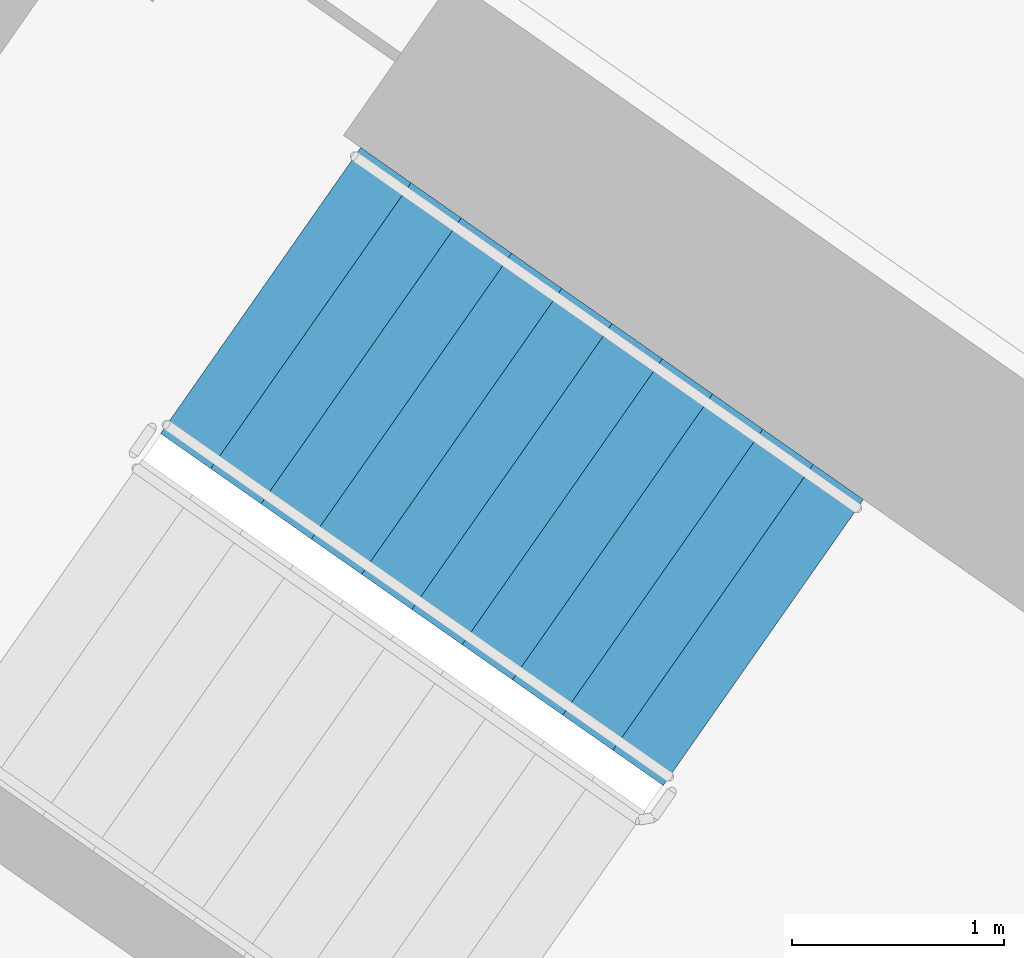
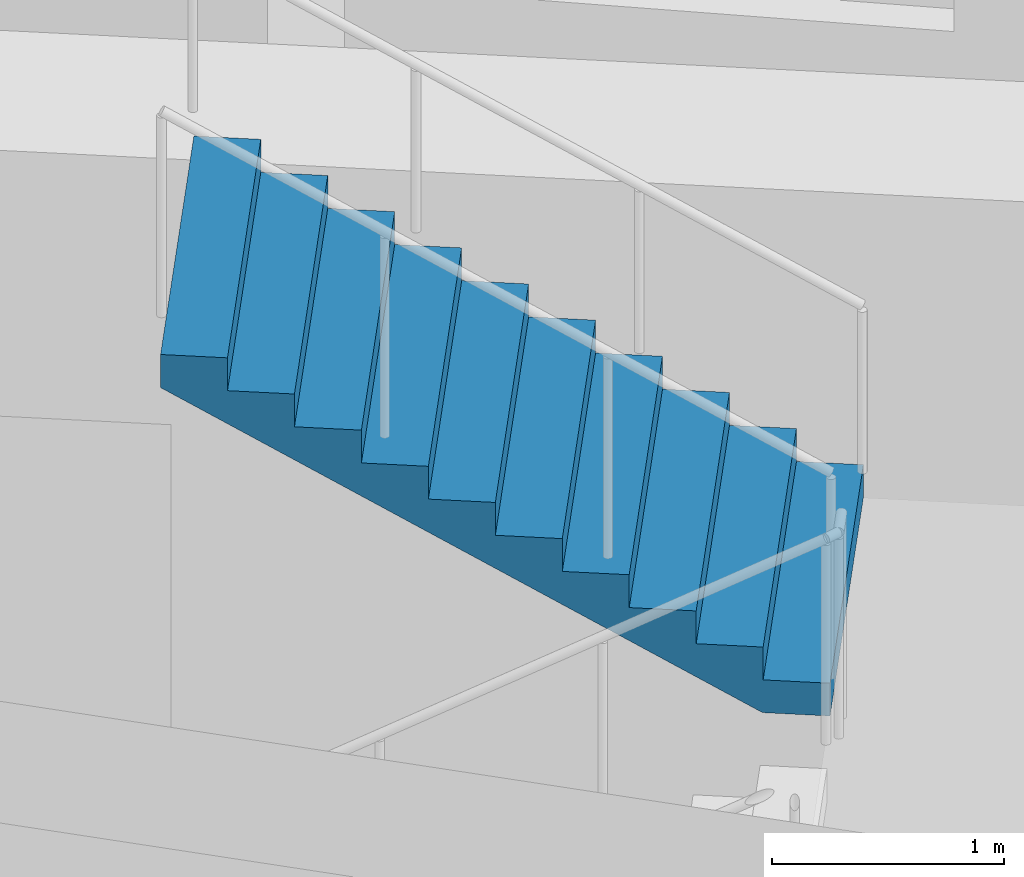
# One storey, part 14 of 33: 1 stair flight, 1 element without a shape of its own.
"""IFC4 building model written with IfcOpenShell, lengths in metres."""

import ifcopenshell
import ifcopenshell.guid

model = None  # the IFC model being written
_history = None  # IfcOwnerHistory: only IFC2X3 demands one
_inside = {}  # id of a spatial element -> (the spatial element, [elements in it])
_under = {}  # id of a project, library or spatial element -> (it, [spatial elements below it])
_declared = {}  # id of a project -> (the project, [libraries it declares])
_typed = {}  # id of a type object -> (the type object, [elements of that type])
_made_of = {}  # id of a material, layer set ... -> (it, [elements and type objects made of it])


def new_model(schema):
    """Start an empty IFC model of exactly this schema.

    Asked for "IFC4X3", IfcOpenShell would pick the latest addendum, in which some entities
    have other attributes; the version numbers below select the first issue.
    IFC2X3 requires an IfcOwnerHistory on every rooted entity: one is made here for all.
    """
    global model, _history
    if schema == "IFC4X3":
        model = ifcopenshell.file(schema_version=(4, 3, 0, 0))
    else:
        model = ifcopenshell.file(schema=schema)
    _inside.clear()
    _under.clear()
    _declared.clear()
    _typed.clear()
    _made_of.clear()
    _history = None
    if model.schema == "IFC2X3":
        org = make("IfcOrganization", Name="unknown")
        user = make(
            "IfcPersonAndOrganization",
            ThePerson=make("IfcPerson", FamilyName="unknown"),
            TheOrganization=org,
        )
        app = make(
            "IfcApplication",
            ApplicationDeveloper=org,
            Version="unknown",
            ApplicationFullName="unknown",
            ApplicationIdentifier="unknown",
        )
        _history = make(
            "IfcOwnerHistory",
            OwningUser=user,
            OwningApplication=app,
            ChangeAction="ADDED",
            CreationDate=0,
        )
    return model


def make(cls, **values):
    """One entity of the class cls with the attributes given. An attribute that is None is left unset."""
    return model.create_entity(
        cls, **{name: value for name, value in values.items() if value is not None}
    )


def rooted(cls, **values):
    """An entity with a GlobalId (a new one), such as an element, a storey or a relation."""
    return make(cls, GlobalId=ifcopenshell.guid.new(), OwnerHistory=_history, **values)


def si_unit(unit_type, name, prefix=None):
    """IfcSIUnit, for example si_unit("LENGTHUNIT", "METRE", prefix="MILLI")."""
    return make("IfcSIUnit", UnitType=unit_type, Prefix=prefix, Name=name)


def assignment(units):
    """IfcUnitAssignment: the units of a project."""
    return None if units is None else make("IfcUnitAssignment", Units=units)


def point(xyz):
    """IfcCartesianPoint."""
    return None if xyz is None else make("IfcCartesianPoint", Coordinates=xyz)


def direction(xyz):
    """IfcDirection."""
    return None if xyz is None else make("IfcDirection", DirectionRatios=xyz)


def frame(location, z_axis=None, x_axis=None):
    """IfcAxis2Placement3D, a coordinate frame: its origin and axes. An axis left out is left unset."""
    return make(
        "IfcAxis2Placement3D",
        Location=point(location),
        Axis=direction(z_axis),
        RefDirection=direction(x_axis),
    )


def origin():
    """The frame at (0, 0, 0) with its axes left unset."""
    return frame((0.0, 0.0, 0.0))


def place(relative_to, where):
    """IfcLocalPlacement: puts the frame where relative to a parent placement (None: the world)."""
    return make(
        "IfcLocalPlacement", PlacementRelTo=relative_to, RelativePlacement=where
    )


def context(
    kind, dimensions, precision=None, world=None, true_north=None, identifier=None
):
    """IfcGeometricRepresentationContext, for example the 3D "Model" context."""
    return make(
        "IfcGeometricRepresentationContext",
        ContextIdentifier=identifier,
        ContextType=kind,
        CoordinateSpaceDimension=dimensions,
        Precision=precision,
        WorldCoordinateSystem=world,
        TrueNorth=true_north,
    )


def subcontext(parent, identifier, kind, view, scale=None):
    """IfcGeometricRepresentationSubContext, for example "Body" below "Model"."""
    return make(
        "IfcGeometricRepresentationSubContext",
        ContextIdentifier=identifier,
        ContextType=kind,
        ParentContext=parent,
        TargetScale=scale,
        TargetView=view,
    )


def project(units=None, contexts=None):
    """IfcProject with its units and contexts."""
    return rooted(
        "IfcProject",
        Name="project",
        RepresentationContexts=contexts,
        UnitsInContext=assignment(units),
    )


def spatial(cls, under=None, at=None, **own):
    """A site, building, storey or space (cls), placed at a placement, below another one or the project."""
    s = rooted(cls, ObjectPlacement=at, **own)
    if under is not None:
        _under.setdefault(under.id(), (under, []))[1].append(s)
    return s


def faces_of(points, faces, orient=None, outer=None):
    """IfcFace entities. A face is a list of loops; a loop is a list of indices into points, from 0.

    orient and outer hold one flag for each loop. By default every Orientation is true, the
    first loop of a face is its IfcFaceOuterBound and the others are IfcFaceBound.
    """
    made = []
    for i, loops in enumerate(faces):
        bounds = []
        for j, loop in enumerate(loops):
            is_outer = j == 0 if outer is None else outer[i][j]
            bounds.append(
                make(
                    "IfcFaceOuterBound" if is_outer else "IfcFaceBound",
                    Bound=make("IfcPolyLoop", Polygon=[points[k] for k in loop]),
                    Orientation=True if orient is None else orient[i][j],
                )
            )
        made.append(make("IfcFace", Bounds=bounds))
    return made


def faceted_brep(points, faces, orient=None, outer=None, voids=None):
    """IfcFacetedBrep: a solid bounded by flat faces; with voids (closed shells), ...WithVoids."""
    shared = [point(p) for p in points]
    hull = make("IfcClosedShell", CfsFaces=faces_of(shared, faces, orient, outer))
    if voids is None:
        return make("IfcFacetedBrep", Outer=hull)
    return make(
        "IfcFacetedBrepWithVoids",
        Outer=hull,
        Voids=[
            make(cls, CfsFaces=faces_of(shared, fs, o, b)) for cls, fs, o, b in voids
        ],
    )


def shape(context_of_items, identifier, shape_type, items):
    """IfcShapeRepresentation: the items that make up one representation, for example the "Body"."""
    return make(
        "IfcShapeRepresentation",
        ContextOfItems=context_of_items,
        RepresentationIdentifier=identifier,
        RepresentationType=shape_type,
        Items=items,
    )


def material(Name=None, Category=None):
    """IfcMaterial."""
    return make("IfcMaterial", Name=Name, Category=Category)


def made_of(thing, what):
    """Note that an element or type object is made of a material, layer set ...; save() writes the relation."""
    if what is not None:
        _made_of.setdefault(what.id(), (what, []))[1].append(thing)
    return thing


def type_object(cls, material=None, **own):
    """A type object (cls), such as IfcWallType, which elements share."""
    return made_of(rooted(cls, **own), material)


def element(
    cls,
    number,
    at=None,
    inside=None,
    cuts=None,
    type_object=None,
    material=None,
    context=None,
    identifier="Body",
    shape_type=None,
    held_by="IfcProductDefinitionShape",
    body=None,
    shapes=None,
    **own,
):
    """One element of the class cls, such as IfcWall. Its Tag is "e" and its number.

    at: its placement. inside: the storey or other place that contains it. cuts: it is an
    opening in that element (IfcRelVoidsElement). A single representation is given by context,
    identifier, shape_type and body (its items); several are given by shapes. held_by: the class
    of the entity that holds the representations. save() writes the other relations.
    """
    e = rooted(cls, Tag="e%d" % number, ObjectPlacement=at, **own)
    if body is not None:
        shapes = [shape(context, identifier, shape_type, body)]
    if shapes is not None:
        e.Representation = make(held_by, Representations=shapes)
    if inside is not None:
        _inside.setdefault(inside.id(), (inside, []))[1].append(e)
    if cuts is not None:
        rooted(
            "IfcRelVoidsElement", RelatingBuildingElement=cuts, RelatedOpeningElement=e
        )
    if type_object is not None:
        _typed.setdefault(type_object.id(), (type_object, []))[1].append(e)
    return made_of(e, material)


def aggregate(whole, parts):
    """IfcRelAggregates: a whole, such as a stair, and the parts it consists of."""
    return rooted("IfcRelAggregates", RelatingObject=whole, RelatedObjects=parts)


def save(model, path):
    """Write the relations noted so far, then the file.

    IfcRelAggregates (storeys below a building ...), IfcRelContainedInSpatialStructure (elements
    in a storey), IfcRelDefinesByType, IfcRelAssociatesMaterial and IfcRelDeclares: one each for
    every whole, place, type object, material and project.
    """
    for whole, parts in _under.values():
        aggregate(whole, parts)
    for where, things in _inside.values():
        rooted(
            "IfcRelContainedInSpatialStructure",
            RelatedElements=things,
            RelatingStructure=where,
        )
    for kind, things in _typed.values():
        rooted("IfcRelDefinesByType", RelatedObjects=things, RelatingType=kind)
    for what, things in _made_of.values():
        rooted("IfcRelAssociatesMaterial", RelatedObjects=things, RelatingMaterial=what)
    for by, libraries in _declared.values():
        rooted("IfcRelDeclares", RelatingContext=by, RelatedDefinitions=libraries)
    model.write(path)


model = new_model("IFC4")

# Units and contexts
model_context = context("Model", 3, precision=1e-05, world=origin(), true_north=direction((0.0, 1.0)))
body_context = subcontext(model_context, "Body", "Model", "MODEL_VIEW")
ifc_project = project(units=[si_unit("LENGTHUNIT", "METRE"), si_unit("AREAUNIT", "SQUARE_METRE"), si_unit("VOLUMEUNIT", "CUBIC_METRE"), si_unit("PLANEANGLEUNIT", "RADIAN"), si_unit("MASSUNIT", "GRAM", prefix="KILO")], contexts=[model_context])

# Site, building, storey
site_placement = place(None, origin())
site = spatial("IfcSite", under=ifc_project, at=site_placement, CompositionType="ELEMENT")
building_placement = place(site_placement, origin())
building = spatial("IfcBuilding", under=site, at=building_placement, Name="Qamariyya Broadcast Tower", CompositionType="ELEMENT")
storey_placement = place(building_placement, frame((0.0, 0.0, 78.5)))
storey = spatial("IfcBuildingStorey", under=building, at=storey_placement, Name="L16", CompositionType="ELEMENT", Elevation=78.5)

# Stair, stair flight
ifc_material = material(Name="Concrete C50/60", Category="concrete")
stair_type = type_object("IfcStairType", Name="Exit stair 22 risers of 173 mm", PredefinedType="HALF_TURN_STAIR", material=ifc_material)
stair_placement = place(storey_placement, origin())
stair = element("IfcStair", 1, at=stair_placement, inside=storey, type_object=stair_type, Name="L16 Stair W2", PredefinedType="HALF_TURN_STAIR")
stair_flight_type = type_object("IfcStairFlightType", Name="Exit stair flight 11 risers of 173 mm", PredefinedType="STRAIGHT", material=ifc_material)
stair_flight_placement = place(storey_placement, frame((-38.18310546875, -49.3486328125, 1.89990234375), z_axis=(0.0, 0.0, 1.0), x_axis=(-0.819152044289, 0.573576436351, 0.0)))
stair_flight = element("IfcStairFlight", 2, at=stair_flight_placement, type_object=stair_flight_type, Name="ST-W2 flight 2", NumberOfRisers=11, NumberOfTreads=10, PredefinedType="STRAIGHT", RiserHeight=0.172727273, TreadLength=0.29, context=body_context, shape_type="Brep", body=[
    faceted_brep([(0.0, 0.824951171875, 0.0), (0.0, 0.824951171875, 0.172607421875), (0.2900390625, 0.824951171875, 0.172607421875), (0.2900390625, 0.824951171875, 0.345458984375), (0.580078125, 0.824951171875, 0.345458984375), (0.580078125, 0.824951171875, 0.51806640625), (0.8701171875, 0.824951171875, 0.51806640625), (0.8701171875, 0.824951171875, 0.69091796875), (1.159912109375, 0.824951171875, 0.69091796875), (1.159912109375, 0.824951171875, 0.863525390625), (1.449951171875, 0.824951171875, 0.863525390625), (1.449951171875, 0.824951171875, 1.036376953125), (1.739990234375, 0.824951171875, 1.036376953125), (1.739990234375, 0.824951171875, 1.208984375), (2.030029296875, 0.824951171875, 1.208984375), (2.030029296875, 0.824951171875, 1.3818359375), (2.320068359375, 0.824951171875, 1.3818359375), (2.320068359375, 0.824951171875, 1.554443359375), (2.610107421875, 0.824951171875, 1.554443359375), (2.610107421875, 0.824951171875, 1.727294921875), (2.89990234375, 0.824951171875, 1.727294921875), (2.89990234375, 0.824951171875, 1.552734375), (0.29296875, 0.824951171875, 0.0), (0.29296875, -0.824951171875, 0.0), (2.89990234375, -0.824951171875, 1.552734375), (2.89990234375, -0.824951171875, 1.727294921875), (2.610107421875, -0.824951171875, 1.727294921875), (2.610107421875, -0.824951171875, 1.554443359375), (2.320068359375, -0.824951171875, 1.554443359375), (2.320068359375, -0.824951171875, 1.3818359375), (2.030029296875, -0.824951171875, 1.3818359375), (2.030029296875, -0.824951171875, 1.208984375), (1.739990234375, -0.824951171875, 1.208984375), (1.739990234375, -0.824951171875, 1.036376953125), (1.449951171875, -0.824951171875, 1.036376953125), (1.449951171875, -0.824951171875, 0.863525390625), (1.159912109375, -0.824951171875, 0.863525390625), (1.159912109375, -0.824951171875, 0.69091796875), (0.8701171875, -0.824951171875, 0.69091796875), (0.8701171875, -0.824951171875, 0.51806640625), (0.580078125, -0.824951171875, 0.51806640625), (0.580078125, -0.824951171875, 0.345458984375), (0.2900390625, -0.824951171875, 0.345458984375), (0.2900390625, -0.824951171875, 0.172607421875), (0.0, -0.824951171875, 0.172607421875), (0.0, -0.824951171875, 0.0), (0.0, 0.10009765625, 0.0), (0.0, 0.086669921875, 0.0), (0.0, 0.0732421875, 0.0), (0.0, 0.06005859375, 0.0), (0.0, 0.046630859375, 0.0), (0.0, 0.033447265625, 0.0), (0.0, 0.02001953125, 0.0), (0.0, 0.006591796875, 0.0), (0.0, -0.006591796875, 0.0), (0.0, -0.02001953125, 0.0), (0.0, -0.033447265625, 0.0), (0.0, -0.046630859375, 0.0), (0.0, -0.06005859375, 0.0), (0.0, -0.0732421875, 0.0), (0.0, -0.086669921875, 0.0), (0.0, -0.10009765625, 0.0), (0.0, -0.10009765625, 0.172607421875), (0.0, -0.086669921875, 0.172607421875), (0.0, -0.0732421875, 0.172607421875), (0.0, -0.06005859375, 0.172607421875), (0.0, -0.046630859375, 0.172607421875), (0.0, -0.033447265625, 0.172607421875), (0.0, -0.02001953125, 0.172607421875), (0.0, -0.006591796875, 0.172607421875), (0.0, 0.006591796875, 0.172607421875), (0.0, 0.02001953125, 0.172607421875), (0.0, 0.033447265625, 0.172607421875), (0.0, 0.046630859375, 0.172607421875), (0.0, 0.06005859375, 0.172607421875), (0.0, 0.0732421875, 0.172607421875), (0.0, 0.086669921875, 0.172607421875), (0.0, 0.10009765625, 0.172607421875), (0.2900390625, -0.10009765625, 0.172607421875), (0.2900390625, -0.086669921875, 0.172607421875), (0.2900390625, -0.0732421875, 0.172607421875), (0.2900390625, -0.06005859375, 0.172607421875), (0.2900390625, -0.046630859375, 0.172607421875), (0.2900390625, -0.033447265625, 0.172607421875), (0.2900390625, -0.02001953125, 0.172607421875), (0.2900390625, -0.006591796875, 0.172607421875), (0.2900390625, 0.006591796875, 0.172607421875), (0.2900390625, 0.02001953125, 0.172607421875), (0.2900390625, 0.033447265625, 0.172607421875), (0.2900390625, 0.046630859375, 0.172607421875), (0.2900390625, 0.06005859375, 0.172607421875), (0.2900390625, 0.0732421875, 0.172607421875), (0.2900390625, 0.086669921875, 0.172607421875), (0.2900390625, 0.10009765625, 0.172607421875), (0.2900390625, -0.10009765625, 0.345458984375), (0.2900390625, -0.086669921875, 0.345458984375), (0.2900390625, -0.0732421875, 0.345458984375), (0.2900390625, -0.06005859375, 0.345458984375), (0.2900390625, -0.046630859375, 0.345458984375), (0.2900390625, -0.033447265625, 0.345458984375), (0.2900390625, -0.02001953125, 0.345458984375), (0.2900390625, -0.006591796875, 0.345458984375), (0.2900390625, 0.006591796875, 0.345458984375), (0.2900390625, 0.02001953125, 0.345458984375), (0.2900390625, 0.033447265625, 0.345458984375), (0.2900390625, 0.046630859375, 0.345458984375), (0.2900390625, 0.06005859375, 0.345458984375), (0.2900390625, 0.0732421875, 0.345458984375), (0.2900390625, 0.086669921875, 0.345458984375), (0.2900390625, 0.10009765625, 0.345458984375), (0.580078125, -0.10009765625, 0.345458984375), (0.580078125, -0.086669921875, 0.345458984375), (0.580078125, -0.0732421875, 0.345458984375), (0.580078125, -0.06005859375, 0.345458984375), (0.580078125, -0.046630859375, 0.345458984375), (0.580078125, -0.033447265625, 0.345458984375), (0.580078125, -0.02001953125, 0.345458984375), (0.580078125, -0.006591796875, 0.345458984375), (0.580078125, 0.006591796875, 0.345458984375), (0.580078125, 0.02001953125, 0.345458984375), (0.580078125, 0.033447265625, 0.345458984375), (0.580078125, 0.046630859375, 0.345458984375), (0.580078125, 0.06005859375, 0.345458984375), (0.580078125, 0.0732421875, 0.345458984375), (0.580078125, 0.086669921875, 0.345458984375), (0.580078125, 0.10009765625, 0.345458984375), (0.580078125, -0.10009765625, 0.51806640625), (0.580078125, -0.086669921875, 0.51806640625), (0.580078125, -0.0732421875, 0.51806640625), (0.580078125, -0.06005859375, 0.51806640625), (0.580078125, -0.046630859375, 0.51806640625), (0.580078125, -0.033447265625, 0.51806640625), (0.580078125, -0.02001953125, 0.51806640625), (0.580078125, -0.006591796875, 0.51806640625), (0.580078125, 0.006591796875, 0.51806640625), (0.580078125, 0.02001953125, 0.51806640625), (0.580078125, 0.033447265625, 0.51806640625), (0.580078125, 0.046630859375, 0.51806640625), (0.580078125, 0.06005859375, 0.51806640625), (0.580078125, 0.0732421875, 0.51806640625), (0.580078125, 0.086669921875, 0.51806640625), (0.580078125, 0.10009765625, 0.51806640625), (0.8701171875, -0.10009765625, 0.51806640625), (0.8701171875, -0.086669921875, 0.51806640625), (0.8701171875, -0.0732421875, 0.51806640625), (0.8701171875, -0.06005859375, 0.51806640625), (0.8701171875, -0.046630859375, 0.51806640625), (0.8701171875, -0.033447265625, 0.51806640625), (0.8701171875, -0.02001953125, 0.51806640625), (0.8701171875, -0.006591796875, 0.51806640625), (0.8701171875, 0.006591796875, 0.51806640625), (0.8701171875, 0.02001953125, 0.51806640625), (0.8701171875, 0.033447265625, 0.51806640625), (0.8701171875, 0.046630859375, 0.51806640625), (0.8701171875, 0.06005859375, 0.51806640625), (0.8701171875, 0.0732421875, 0.51806640625), (0.8701171875, 0.086669921875, 0.51806640625), (0.8701171875, 0.10009765625, 0.51806640625), (0.8701171875, -0.10009765625, 0.69091796875), (0.8701171875, -0.086669921875, 0.69091796875), (0.8701171875, -0.0732421875, 0.69091796875), (0.8701171875, -0.06005859375, 0.69091796875), (0.8701171875, -0.046630859375, 0.69091796875), (0.8701171875, -0.033447265625, 0.69091796875), (0.8701171875, -0.02001953125, 0.69091796875), (0.8701171875, -0.006591796875, 0.69091796875), (0.8701171875, 0.006591796875, 0.69091796875), (0.8701171875, 0.02001953125, 0.69091796875), (0.8701171875, 0.033447265625, 0.69091796875), (0.8701171875, 0.046630859375, 0.69091796875), (0.8701171875, 0.06005859375, 0.69091796875), (0.8701171875, 0.0732421875, 0.69091796875), (0.8701171875, 0.086669921875, 0.69091796875), (0.8701171875, 0.10009765625, 0.69091796875), (1.159912109375, -0.10009765625, 0.69091796875), (1.159912109375, -0.086669921875, 0.69091796875), (1.159912109375, -0.0732421875, 0.69091796875), (1.159912109375, -0.06005859375, 0.69091796875), (1.159912109375, -0.046630859375, 0.69091796875), (1.159912109375, -0.033447265625, 0.69091796875), (1.159912109375, -0.02001953125, 0.69091796875), (1.159912109375, -0.006591796875, 0.69091796875), (1.159912109375, 0.006591796875, 0.69091796875), (1.159912109375, 0.02001953125, 0.69091796875), (1.159912109375, 0.033447265625, 0.69091796875), (1.159912109375, 0.046630859375, 0.69091796875), (1.159912109375, 0.06005859375, 0.69091796875), (1.159912109375, 0.0732421875, 0.69091796875), (1.159912109375, 0.086669921875, 0.69091796875), (1.159912109375, 0.10009765625, 0.69091796875), (1.159912109375, -0.10009765625, 0.863525390625), (1.159912109375, -0.086669921875, 0.863525390625), (1.159912109375, -0.0732421875, 0.863525390625), (1.159912109375, -0.06005859375, 0.863525390625), (1.159912109375, -0.046630859375, 0.863525390625), (1.159912109375, -0.033447265625, 0.863525390625), (1.159912109375, -0.02001953125, 0.863525390625), (1.159912109375, -0.006591796875, 0.863525390625), (1.159912109375, 0.006591796875, 0.863525390625), (1.159912109375, 0.02001953125, 0.863525390625), (1.159912109375, 0.033447265625, 0.863525390625), (1.159912109375, 0.046630859375, 0.863525390625), (1.159912109375, 0.06005859375, 0.863525390625), (1.159912109375, 0.0732421875, 0.863525390625), (1.159912109375, 0.086669921875, 0.863525390625), (1.159912109375, 0.10009765625, 0.863525390625), (1.449951171875, -0.10009765625, 0.863525390625), (1.449951171875, -0.086669921875, 0.863525390625), (1.449951171875, -0.0732421875, 0.863525390625), (1.449951171875, -0.06005859375, 0.863525390625), (1.449951171875, -0.046630859375, 0.863525390625), (1.449951171875, -0.033447265625, 0.863525390625), (1.449951171875, -0.02001953125, 0.863525390625), (1.449951171875, -0.006591796875, 0.863525390625), (1.449951171875, 0.006591796875, 0.863525390625), (1.449951171875, 0.02001953125, 0.863525390625), (1.449951171875, 0.033447265625, 0.863525390625), (1.449951171875, 0.046630859375, 0.863525390625), (1.449951171875, 0.06005859375, 0.863525390625), (1.449951171875, 0.0732421875, 0.863525390625), (1.449951171875, 0.086669921875, 0.863525390625), (1.449951171875, 0.10009765625, 0.863525390625), (1.449951171875, -0.10009765625, 1.036376953125), (1.449951171875, -0.086669921875, 1.036376953125), (1.449951171875, -0.0732421875, 1.036376953125), (1.449951171875, -0.06005859375, 1.036376953125), (1.449951171875, -0.046630859375, 1.036376953125), (1.449951171875, -0.033447265625, 1.036376953125), (1.449951171875, -0.02001953125, 1.036376953125), (1.449951171875, -0.006591796875, 1.036376953125), (1.449951171875, 0.006591796875, 1.036376953125), (1.449951171875, 0.02001953125, 1.036376953125), (1.449951171875, 0.033447265625, 1.036376953125), (1.449951171875, 0.046630859375, 1.036376953125), (1.449951171875, 0.06005859375, 1.036376953125), (1.449951171875, 0.0732421875, 1.036376953125), (1.449951171875, 0.086669921875, 1.036376953125), (1.449951171875, 0.10009765625, 1.036376953125), (1.739990234375, -0.10009765625, 1.036376953125), (1.739990234375, -0.086669921875, 1.036376953125), (1.739990234375, -0.0732421875, 1.036376953125), (1.739990234375, -0.06005859375, 1.036376953125), (1.739990234375, -0.046630859375, 1.036376953125), (1.739990234375, -0.033447265625, 1.036376953125), (1.739990234375, -0.02001953125, 1.036376953125), (1.739990234375, -0.006591796875, 1.036376953125), (1.739990234375, 0.006591796875, 1.036376953125), (1.739990234375, 0.02001953125, 1.036376953125), (1.739990234375, 0.033447265625, 1.036376953125), (1.739990234375, 0.046630859375, 1.036376953125), (1.739990234375, 0.06005859375, 1.036376953125), (1.739990234375, 0.0732421875, 1.036376953125), (1.739990234375, 0.086669921875, 1.036376953125), (1.739990234375, 0.10009765625, 1.036376953125), (1.739990234375, -0.10009765625, 1.208984375), (1.739990234375, -0.086669921875, 1.208984375), (1.739990234375, -0.0732421875, 1.208984375), (1.739990234375, -0.06005859375, 1.208984375), (1.739990234375, -0.046630859375, 1.208984375), (1.739990234375, -0.033447265625, 1.208984375), (1.739990234375, -0.02001953125, 1.208984375), (1.739990234375, -0.006591796875, 1.208984375), (1.739990234375, 0.006591796875, 1.208984375), (1.739990234375, 0.02001953125, 1.208984375), (1.739990234375, 0.033447265625, 1.208984375), (1.739990234375, 0.046630859375, 1.208984375), (1.739990234375, 0.06005859375, 1.208984375), (1.739990234375, 0.0732421875, 1.208984375), (1.739990234375, 0.086669921875, 1.208984375), (1.739990234375, 0.10009765625, 1.208984375), (2.030029296875, -0.10009765625, 1.208984375), (2.030029296875, -0.086669921875, 1.208984375), (2.030029296875, -0.0732421875, 1.208984375), (2.030029296875, -0.06005859375, 1.208984375), (2.030029296875, -0.046630859375, 1.208984375), (2.030029296875, -0.033447265625, 1.208984375), (2.030029296875, -0.02001953125, 1.208984375), (2.030029296875, -0.006591796875, 1.208984375), (2.030029296875, 0.006591796875, 1.208984375), (2.030029296875, 0.02001953125, 1.208984375), (2.030029296875, 0.033447265625, 1.208984375), (2.030029296875, 0.046630859375, 1.208984375), (2.030029296875, 0.06005859375, 1.208984375), (2.030029296875, 0.0732421875, 1.208984375), (2.030029296875, 0.086669921875, 1.208984375), (2.030029296875, 0.10009765625, 1.208984375), (2.030029296875, -0.10009765625, 1.3818359375), (2.030029296875, -0.086669921875, 1.3818359375), (2.030029296875, -0.0732421875, 1.3818359375), (2.030029296875, -0.06005859375, 1.3818359375), (2.030029296875, -0.046630859375, 1.3818359375), (2.030029296875, -0.033447265625, 1.3818359375), (2.030029296875, -0.02001953125, 1.3818359375), (2.030029296875, -0.006591796875, 1.3818359375), (2.030029296875, 0.006591796875, 1.3818359375), (2.030029296875, 0.02001953125, 1.3818359375), (2.030029296875, 0.033447265625, 1.3818359375), (2.030029296875, 0.046630859375, 1.3818359375), (2.030029296875, 0.06005859375, 1.3818359375), (2.030029296875, 0.0732421875, 1.3818359375), (2.030029296875, 0.086669921875, 1.3818359375), (2.030029296875, 0.10009765625, 1.3818359375), (2.320068359375, -0.10009765625, 1.3818359375), (2.320068359375, -0.086669921875, 1.3818359375), (2.320068359375, -0.0732421875, 1.3818359375), (2.320068359375, -0.06005859375, 1.3818359375), (2.320068359375, -0.046630859375, 1.3818359375), (2.320068359375, -0.033447265625, 1.3818359375), (2.320068359375, -0.02001953125, 1.3818359375), (2.320068359375, -0.006591796875, 1.3818359375), (2.320068359375, 0.006591796875, 1.3818359375), (2.320068359375, 0.02001953125, 1.3818359375), (2.320068359375, 0.033447265625, 1.3818359375), (2.320068359375, 0.046630859375, 1.3818359375), (2.320068359375, 0.06005859375, 1.3818359375), (2.320068359375, 0.0732421875, 1.3818359375), (2.320068359375, 0.086669921875, 1.3818359375), (2.320068359375, 0.10009765625, 1.3818359375), (2.320068359375, -0.10009765625, 1.554443359375), (2.320068359375, -0.086669921875, 1.554443359375), (2.320068359375, -0.0732421875, 1.554443359375), (2.320068359375, -0.06005859375, 1.554443359375), (2.320068359375, -0.046630859375, 1.554443359375), (2.320068359375, -0.033447265625, 1.554443359375), (2.320068359375, -0.02001953125, 1.554443359375), (2.320068359375, -0.006591796875, 1.554443359375), (2.320068359375, 0.006591796875, 1.554443359375), (2.320068359375, 0.02001953125, 1.554443359375), (2.320068359375, 0.033447265625, 1.554443359375), (2.320068359375, 0.046630859375, 1.554443359375), (2.320068359375, 0.06005859375, 1.554443359375), (2.320068359375, 0.0732421875, 1.554443359375), (2.320068359375, 0.086669921875, 1.554443359375), (2.320068359375, 0.10009765625, 1.554443359375), (2.610107421875, -0.10009765625, 1.554443359375), (2.610107421875, -0.086669921875, 1.554443359375), (2.610107421875, -0.0732421875, 1.554443359375), (2.610107421875, -0.06005859375, 1.554443359375), (2.610107421875, -0.046630859375, 1.554443359375), (2.610107421875, -0.033447265625, 1.554443359375), (2.610107421875, -0.02001953125, 1.554443359375), (2.610107421875, -0.006591796875, 1.554443359375), (2.610107421875, 0.006591796875, 1.554443359375), (2.610107421875, 0.02001953125, 1.554443359375), (2.610107421875, 0.033447265625, 1.554443359375), (2.610107421875, 0.046630859375, 1.554443359375), (2.610107421875, 0.06005859375, 1.554443359375), (2.610107421875, 0.0732421875, 1.554443359375), (2.610107421875, 0.086669921875, 1.554443359375), (2.610107421875, 0.10009765625, 1.554443359375), (2.610107421875, -0.10009765625, 1.727294921875), (2.610107421875, -0.086669921875, 1.727294921875), (2.610107421875, -0.0732421875, 1.727294921875), (2.610107421875, -0.06005859375, 1.727294921875), (2.610107421875, -0.046630859375, 1.727294921875), (2.610107421875, -0.033447265625, 1.727294921875), (2.610107421875, -0.02001953125, 1.727294921875), (2.610107421875, -0.006591796875, 1.727294921875), (2.610107421875, 0.006591796875, 1.727294921875), (2.610107421875, 0.02001953125, 1.727294921875), (2.610107421875, 0.033447265625, 1.727294921875), (2.610107421875, 0.046630859375, 1.727294921875), (2.610107421875, 0.06005859375, 1.727294921875), (2.610107421875, 0.0732421875, 1.727294921875), (2.610107421875, 0.086669921875, 1.727294921875), (2.610107421875, 0.10009765625, 1.727294921875), (2.89990234375, -0.10009765625, 1.727294921875), (2.89990234375, -0.086669921875, 1.727294921875), (2.89990234375, -0.0732421875, 1.727294921875), (2.89990234375, -0.06005859375, 1.727294921875), (2.89990234375, -0.046630859375, 1.727294921875), (2.89990234375, -0.033447265625, 1.727294921875), (2.89990234375, -0.02001953125, 1.727294921875), (2.89990234375, -0.006591796875, 1.727294921875), (2.89990234375, 0.006591796875, 1.727294921875), (2.89990234375, 0.02001953125, 1.727294921875), (2.89990234375, 0.033447265625, 1.727294921875), (2.89990234375, 0.046630859375, 1.727294921875), (2.89990234375, 0.06005859375, 1.727294921875), (2.89990234375, 0.0732421875, 1.727294921875), (2.89990234375, 0.086669921875, 1.727294921875), (2.89990234375, 0.10009765625, 1.727294921875), (2.89990234375, -0.10009765625, 1.552734375), (2.89990234375, -0.086669921875, 1.552734375), (2.89990234375, -0.0732421875, 1.552734375), (2.89990234375, -0.06005859375, 1.552734375), (2.89990234375, -0.046630859375, 1.552734375), (2.89990234375, -0.033447265625, 1.552734375), (2.89990234375, -0.02001953125, 1.552734375), (2.89990234375, -0.006591796875, 1.552734375), (2.89990234375, 0.006591796875, 1.552734375), (2.89990234375, 0.02001953125, 1.552734375), (2.89990234375, 0.033447265625, 1.552734375), (2.89990234375, 0.046630859375, 1.552734375), (2.89990234375, 0.06005859375, 1.552734375), (2.89990234375, 0.0732421875, 1.552734375), (2.89990234375, 0.086669921875, 1.552734375), (2.89990234375, 0.10009765625, 1.552734375), (0.29296875, -0.10009765625, 0.0), (0.29296875, -0.086669921875, 0.0), (0.29296875, -0.0732421875, 0.0), (0.29296875, -0.06005859375, 0.0), (0.29296875, -0.046630859375, 0.0), (0.29296875, -0.033447265625, 0.0), (0.29296875, -0.02001953125, 0.0), (0.29296875, -0.006591796875, 0.0), (0.29296875, 0.006591796875, 0.0), (0.29296875, 0.02001953125, 0.0), (0.29296875, 0.033447265625, 0.0), (0.29296875, 0.046630859375, 0.0), (0.29296875, 0.06005859375, 0.0), (0.29296875, 0.0732421875, 0.0), (0.29296875, 0.086669921875, 0.0), (0.29296875, 0.10009765625, 0.0)], [[[0, 1, 2, 3, 4, 5, 6, 7, 8, 9, 10, 11, 12, 13, 14, 15, 16, 17, 18, 19, 20, 21, 22]], [[23, 24, 25, 26, 27, 28, 29, 30, 31, 32, 33, 34, 35, 36, 37, 38, 39, 40, 41, 42, 43, 44, 45]], [[0, 46, 47, 48, 49, 50, 51, 52, 53, 54, 55, 56, 57, 58, 59, 60, 61, 45, 44, 62, 63, 64, 65, 66, 67, 68, 69, 70, 71, 72, 73, 74, 75, 76, 77, 1]], [[1, 77, 76, 75, 74, 73, 72, 71, 70, 69, 68, 67, 66, 65, 64, 63, 62, 44, 43, 78, 79, 80, 81, 82, 83, 84, 85, 86, 87, 88, 89, 90, 91, 92, 93, 2]], [[2, 93, 92, 91, 90, 89, 88, 87, 86, 85, 84, 83, 82, 81, 80, 79, 78, 43, 42, 94, 95, 96, 97, 98, 99, 100, 101, 102, 103, 104, 105, 106, 107, 108, 109, 3]], [[3, 109, 108, 107, 106, 105, 104, 103, 102, 101, 100, 99, 98, 97, 96, 95, 94, 42, 41, 110, 111, 112, 113, 114, 115, 116, 117, 118, 119, 120, 121, 122, 123, 124, 125, 4]], [[4, 125, 124, 123, 122, 121, 120, 119, 118, 117, 116, 115, 114, 113, 112, 111, 110, 41, 40, 126, 127, 128, 129, 130, 131, 132, 133, 134, 135, 136, 137, 138, 139, 140, 141, 5]], [[5, 141, 140, 139, 138, 137, 136, 135, 134, 133, 132, 131, 130, 129, 128, 127, 126, 40, 39, 142, 143, 144, 145, 146, 147, 148, 149, 150, 151, 152, 153, 154, 155, 156, 157, 6]], [[6, 157, 156, 155, 154, 153, 152, 151, 150, 149, 148, 147, 146, 145, 144, 143, 142, 39, 38, 158, 159, 160, 161, 162, 163, 164, 165, 166, 167, 168, 169, 170, 171, 172, 173, 7]], [[7, 173, 172, 171, 170, 169, 168, 167, 166, 165, 164, 163, 162, 161, 160, 159, 158, 38, 37, 174, 175, 176, 177, 178, 179, 180, 181, 182, 183, 184, 185, 186, 187, 188, 189, 8]], [[8, 189, 188, 187, 186, 185, 184, 183, 182, 181, 180, 179, 178, 177, 176, 175, 174, 37, 36, 190, 191, 192, 193, 194, 195, 196, 197, 198, 199, 200, 201, 202, 203, 204, 205, 9]], [[9, 205, 204, 203, 202, 201, 200, 199, 198, 197, 196, 195, 194, 193, 192, 191, 190, 36, 35, 206, 207, 208, 209, 210, 211, 212, 213, 214, 215, 216, 217, 218, 219, 220, 221, 10]], [[10, 221, 220, 219, 218, 217, 216, 215, 214, 213, 212, 211, 210, 209, 208, 207, 206, 35, 34, 222, 223, 224, 225, 226, 227, 228, 229, 230, 231, 232, 233, 234, 235, 236, 237, 11]], [[11, 237, 236, 235, 234, 233, 232, 231, 230, 229, 228, 227, 226, 225, 224, 223, 222, 34, 33, 238, 239, 240, 241, 242, 243, 244, 245, 246, 247, 248, 249, 250, 251, 252, 253, 12]], [[12, 253, 252, 251, 250, 249, 248, 247, 246, 245, 244, 243, 242, 241, 240, 239, 238, 33, 32, 254, 255, 256, 257, 258, 259, 260, 261, 262, 263, 264, 265, 266, 267, 268, 269, 13]], [[13, 269, 268, 267, 266, 265, 264, 263, 262, 261, 260, 259, 258, 257, 256, 255, 254, 32, 31, 270, 271, 272, 273, 274, 275, 276, 277, 278, 279, 280, 281, 282, 283, 284, 285, 14]], [[14, 285, 284, 283, 282, 281, 280, 279, 278, 277, 276, 275, 274, 273, 272, 271, 270, 31, 30, 286, 287, 288, 289, 290, 291, 292, 293, 294, 295, 296, 297, 298, 299, 300, 301, 15]], [[15, 301, 300, 299, 298, 297, 296, 295, 294, 293, 292, 291, 290, 289, 288, 287, 286, 30, 29, 302, 303, 304, 305, 306, 307, 308, 309, 310, 311, 312, 313, 314, 315, 316, 317, 16]], [[16, 317, 316, 315, 314, 313, 312, 311, 310, 309, 308, 307, 306, 305, 304, 303, 302, 29, 28, 318, 319, 320, 321, 322, 323, 324, 325, 326, 327, 328, 329, 330, 331, 332, 333, 17]], [[17, 333, 332, 331, 330, 329, 328, 327, 326, 325, 324, 323, 322, 321, 320, 319, 318, 28, 27, 334, 335, 336, 337, 338, 339, 340, 341, 342, 343, 344, 345, 346, 347, 348, 349, 18]], [[18, 349, 348, 347, 346, 345, 344, 343, 342, 341, 340, 339, 338, 337, 336, 335, 334, 27, 26, 350, 351, 352, 353, 354, 355, 356, 357, 358, 359, 360, 361, 362, 363, 364, 365, 19]], [[19, 365, 364, 363, 362, 361, 360, 359, 358, 357, 356, 355, 354, 353, 352, 351, 350, 26, 25, 366, 367, 368, 369, 370, 371, 372, 373, 374, 375, 376, 377, 378, 379, 380, 381, 20]], [[20, 381, 380, 379, 378, 377, 376, 375, 374, 373, 372, 371, 370, 369, 368, 367, 366, 25, 24, 382, 383, 384, 385, 386, 387, 388, 389, 390, 391, 392, 393, 394, 395, 396, 397, 21]], [[21, 397, 396, 395, 394, 393, 392, 391, 390, 389, 388, 387, 386, 385, 384, 383, 382, 24, 23, 398, 399, 400, 401, 402, 403, 404, 405, 406, 407, 408, 409, 410, 411, 412, 413, 22]], [[22, 413, 412, 411, 410, 409, 408, 407, 406, 405, 404, 403, 402, 401, 400, 399, 398, 23, 45, 61, 60, 59, 58, 57, 56, 55, 54, 53, 52, 51, 50, 49, 48, 47, 46, 0]]]),
])
aggregate(stair, [stair_flight])

save(model, "model.ifc")
